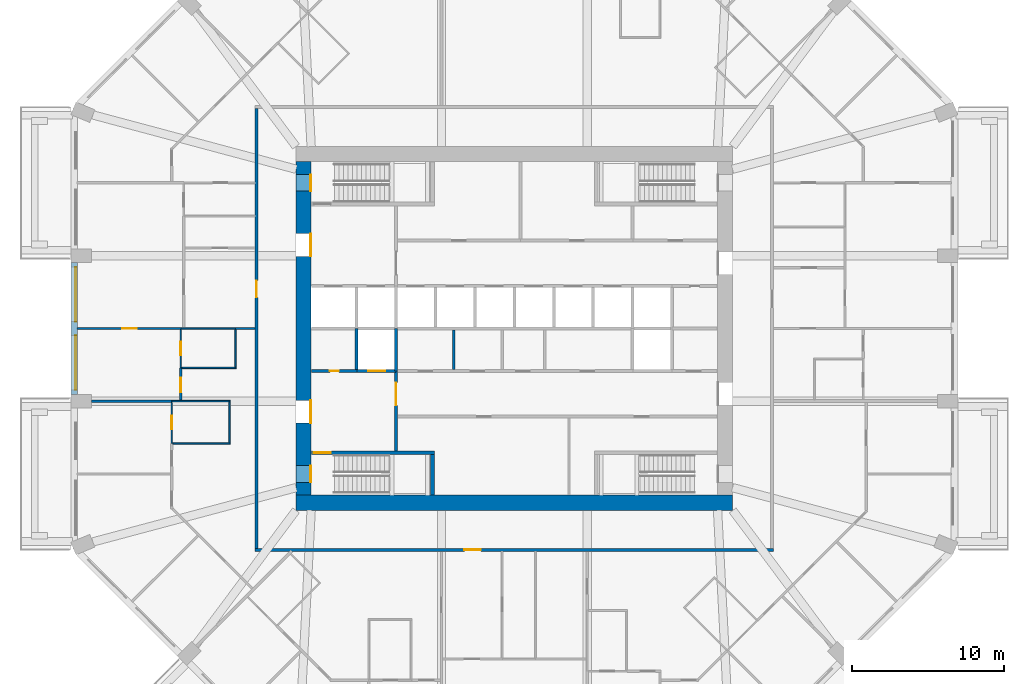
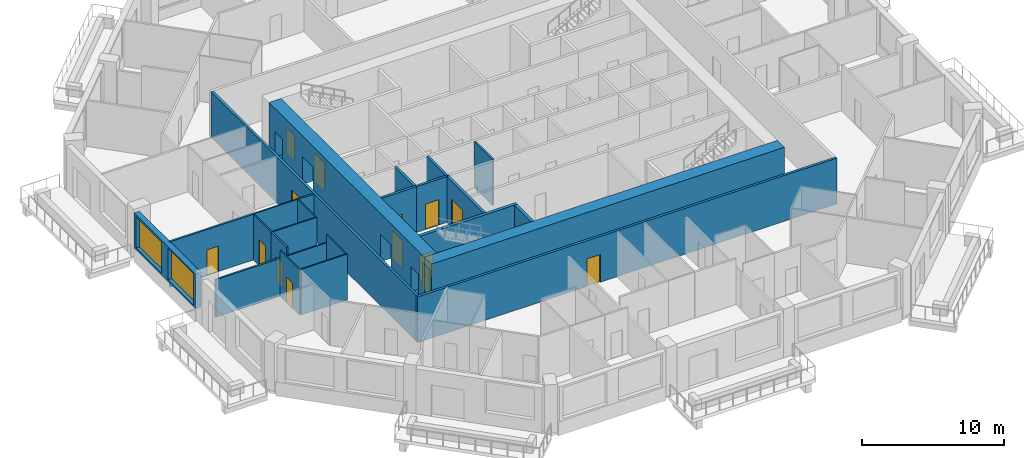
# One storey, part 4 of 13: 25 walls, 14 doors, 2 windows, 16 openings.
"""IFC4 building model written with IfcOpenShell, lengths in metres."""

from ifc_helpers import new_model, si_unit, direction, frame, frame_2d, origin, place, context, subcontext, project, spatial, rectangle, extrude, material, layer, layer_set, type_object, element, fill, save


model = new_model("IFC4")

# Units and contexts
model_context = context("Model", 3, precision=1e-05, world=origin(), true_north=direction((0.0, 1.0)))
body_context = subcontext(model_context, "Body", "Model", "MODEL_VIEW")
ifc_project = project(units=[si_unit("LENGTHUNIT", "METRE"), si_unit("AREAUNIT", "SQUARE_METRE"), si_unit("VOLUMEUNIT", "CUBIC_METRE"), si_unit("PLANEANGLEUNIT", "RADIAN"), si_unit("MASSUNIT", "GRAM", prefix="KILO")], contexts=[model_context])

# Site, building, storey
site_placement = place(None, origin())
site = spatial("IfcSite", under=ifc_project, at=site_placement, CompositionType="ELEMENT")
building_placement = place(site_placement, origin())
building = spatial("IfcBuilding", under=site, at=building_placement, Name="Msitu Wima Residences", CompositionType="ELEMENT")
storey_placement = place(building_placement, frame((0.0, 0.0, 67.5)))
storey = spatial("IfcBuildingStorey", under=building, at=storey_placement, Name="L15", CompositionType="ELEMENT", Elevation=67.5)

# Wall, openings, windows
ifc_material_1 = material(Name="Brick (red buff mix)", Category="masonry")
ifc_layer_1 = layer(ifc_material_1, 0.449951171875)
ifc_layer_set_1 = layer_set([ifc_layer_1], Name="Brick (red buff mix)")
wall_type_1 = type_object("IfcWallType", Name="Brick infill wall BW450", PredefinedType="SOLIDWALL", material=ifc_layer_set_1)
wall_1_placement = place(storey_placement, frame((-29.02490234375, 4.35009765625, 0.89990234375), z_axis=(0.0, 0.0, 1.0), x_axis=(0.0, -1.0, 0.0)))
wall_1 = element("IfcWall", 1, at=wall_1_placement, inside=storey, type_object=wall_type_1, Name="Brick infill wall L15 W1", PredefinedType="SOLIDWALL", context=body_context, shape_type="SweptSolid", body=[
    extrude(rectangle(XDim=8.7001953125, YDim=0.449951171875, at=frame_2d((4.35009765625, 0.0))), origin(), (0.0, 0.0, 1.0), 3.0),
])
opening_1_placement = place(wall_1_placement, frame((0.300048828125, 0.0, 0.14990234375)))
opening_1 = element("IfcOpeningElement", 2, at=opening_1_placement, cuts=wall_1, Name="Opening W13-15.028", PredefinedType="OPENING", context=body_context, shape_type="SweptSolid", body=[
    extrude(rectangle(XDim=3.60009765625, YDim=2.699951171875, at=frame_2d((1.800048828125, 1.35009765625))), frame((0.0, 0.23486328125, 0.0), z_axis=(0.0, -1.0, 0.0), x_axis=(1.0, 0.0, 0.0)), (0.0, 0.0, 1.0), 0.469970703125),
])
opening_2_placement = place(wall_1_placement, frame((4.800048828125, 0.0, 0.14990234375)))
opening_2 = element("IfcOpeningElement", 3, at=opening_2_placement, cuts=wall_1, Name="Opening W13-15.029", PredefinedType="OPENING", context=body_context, shape_type="SweptSolid", body=[
    extrude(rectangle(XDim=3.60009765625, YDim=2.699951171875, at=frame_2d((1.800048828125, 1.35009765625))), frame((0.0, 0.23486328125, 0.0), z_axis=(0.0, -1.0, 0.0), x_axis=(1.0, 0.0, 0.0)), (0.0, 0.0, 1.0), 0.469970703125),
])
ifc_material_2 = material(Name="Anodised aluminium, bronze finish, clear low-emissivity double glazing", Category="aluminium")
window_type = type_object("IfcWindowType", Name="Window W3600x2700", PartitioningType="DOUBLE_PANEL_VERTICAL", PredefinedType="WINDOW", material=ifc_material_2)
window_1_placement = place(opening_1_placement, origin())
window_1 = element("IfcWindow", 4, at=window_1_placement, inside=storey, type_object=window_type, Name="Window L15 W1.1", OverallHeight=2.699951171875, OverallWidth=3.60009765625, PartitioningType="SINGLE_PANEL", PredefinedType="WINDOW", context=body_context, shape_type="SweptSolid", body=[
    extrude(rectangle(XDim=3.60009765625, YDim=2.699951171875, at=frame_2d((1.800048828125, 1.35009765625))), frame((0.0, 0.135009765625, 0.0), z_axis=(0.0, -1.0, 0.0), x_axis=(1.0, 0.0, 0.0)), (0.0, 0.0, 1.0), 0.06005859375),
])
fill(opening_1, window_1)
window_2_placement = place(opening_2_placement, origin())
window_2 = element("IfcWindow", 5, at=window_2_placement, inside=storey, type_object=window_type, Name="Window L15 W1.2", OverallHeight=2.699951171875, OverallWidth=3.60009765625, PartitioningType="SINGLE_PANEL", PredefinedType="WINDOW", context=body_context, shape_type="SweptSolid", body=[
    extrude(rectangle(XDim=3.60009765625, YDim=2.699951171875, at=frame_2d((1.800048828125, 1.35009765625))), frame((0.0, 0.135009765625, 0.0), z_axis=(0.0, -1.0, 0.0), x_axis=(1.0, 0.0, 0.0)), (0.0, 0.0, 1.0), 0.06005859375),
])
fill(opening_2, window_2)

# Wall
ifc_material_3 = material(Name="Concrete C80/95", Category="concrete")
ifc_layer_2 = layer(ifc_material_3, 1.0)
ifc_layer_set_2 = layer_set([ifc_layer_2], Name="Concrete C80/95")
wall_type_2 = type_object("IfcWallType", Name="Core wall CW1000 C80/95", PredefinedType="SHEAR", material=ifc_layer_set_2)
wall_2_placement = place(storey_placement, frame((-14.39990234375, -11.5, 0.0), z_axis=(0.0, 0.0, 1.0), x_axis=(1.0, 0.0, 0.0)))
element("IfcWall", 6, at=wall_2_placement, inside=storey, type_object=wall_type_2, Name="Core wall", PredefinedType="SHEAR", context=body_context, shape_type="SweptSolid", body=[
    extrude(rectangle(XDim=28.7998046875, YDim=1.0, at=frame_2d((14.39990234375, 0.0))), origin(), (0.0, 0.0, 1.0), 4.199951171875),
])

# Wall, openings, doors
wall_3_placement = place(storey_placement, frame((-13.89990234375, -11.0, 0.0), z_axis=(0.0, 0.0, 1.0), x_axis=(0.0, 1.0, 0.0)))
wall_3 = element("IfcWall", 7, at=wall_3_placement, inside=storey, type_object=wall_type_2, Name="Core wall", PredefinedType="SHEAR", context=body_context, shape_type="SweptSolid", body=[
    extrude(rectangle(XDim=22.0, YDim=1.0, at=frame_2d((11.0, 0.0))), origin(), (0.0, 0.0, 1.0), 4.199951171875),
])
opening_3_placement = place(wall_3_placement, frame((20.050048828125, 0.0, 0.0)))
opening_3 = element("IfcOpeningElement", 8, at=opening_3_placement, cuts=wall_3, Name="Opening D13-15.032", PredefinedType="OPENING", context=body_context, shape_type="SweptSolid", body=[
    extrude(rectangle(XDim=1.10009765625, YDim=2.199951171875, at=frame_2d((0.550048828125, 1.10009765625))), frame((0.0, 0.510009765625, 0.0), z_axis=(0.0, -1.0, 0.0), x_axis=(1.0, 0.0, 0.0)), (0.0, 0.0, 1.0), 1.02001953125),
])
opening_4_placement = place(wall_3_placement, frame((0.85009765625, 0.0, 0.0)))
opening_4 = element("IfcOpeningElement", 9, at=opening_4_placement, cuts=wall_3, Name="Opening D13-15.034", PredefinedType="OPENING", context=body_context, shape_type="SweptSolid", body=[
    extrude(rectangle(XDim=1.10009765625, YDim=2.199951171875, at=frame_2d((0.550048828125, 1.10009765625))), frame((0.0, 0.510009765625, 0.0), z_axis=(0.0, -1.0, 0.0), x_axis=(1.0, 0.0, 0.0)), (0.0, 0.0, 1.0), 1.02001953125),
])
opening_5_placement = place(wall_3_placement, frame((15.75, 0.0, 0.0)))
opening_5 = element("IfcOpeningElement", 10, at=opening_5_placement, cuts=wall_3, Name="Opening D13-15.015", PredefinedType="OPENING", context=body_context, shape_type="SweptSolid", body=[
    extrude(rectangle(XDim=1.5, YDim=2.39990234375, at=frame_2d((0.75, 1.199951171875))), frame((0.0, 0.510009765625, 0.0), z_axis=(0.0, -1.0, 0.0), x_axis=(1.0, 0.0, 0.0)), (0.0, 0.0, 1.0), 1.02001953125),
])
opening_6_placement = place(wall_3_placement, frame((4.75, 0.0, 0.0)))
opening_6 = element("IfcOpeningElement", 11, at=opening_6_placement, cuts=wall_3, Name="Opening D13-15.017", PredefinedType="OPENING", context=body_context, shape_type="SweptSolid", body=[
    extrude(rectangle(XDim=1.5, YDim=2.39990234375, at=frame_2d((0.75, 1.199951171875))), frame((0.0, 0.510009765625, 0.0), z_axis=(0.0, -1.0, 0.0), x_axis=(1.0, 0.0, 0.0)), (0.0, 0.0, 1.0), 1.02001953125),
])
ifc_material_4 = material(Name="Steel framed glazed door, fire resisting", Category="steel")
door_type_1 = type_object("IfcDoorType", Name="Lobby door D07 1500x2400", OperationType="DOUBLE_DOOR_SINGLE_SWING", PredefinedType="DOOR", material=ifc_material_4)
door_1_placement = place(opening_5_placement, origin())
door_1 = element("IfcDoor", 12, at=door_1_placement, inside=storey, type_object=door_type_1, Name="Lobby door", OperationType="DOUBLE_DOOR_SINGLE_SWING", OverallHeight=2.39990234375, OverallWidth=1.5, PredefinedType="DOOR", context=body_context, shape_type="SweptSolid", body=[
    extrude(rectangle(XDim=1.5, YDim=2.39990234375, at=frame_2d((0.75, 1.199951171875))), frame((0.0, -0.44482421875, 0.0), z_axis=(0.0, -1.0, 0.0), x_axis=(1.0, 0.0, 0.0)), (0.0, 0.0, 1.0), 0.050048828125),
])
fill(opening_5, door_1)
door_2_placement = place(opening_6_placement, origin())
door_2 = element("IfcDoor", 13, at=door_2_placement, inside=storey, type_object=door_type_1, Name="Lobby door", OperationType="DOUBLE_DOOR_SINGLE_SWING", OverallHeight=2.39990234375, OverallWidth=1.5, PredefinedType="DOOR", context=body_context, shape_type="SweptSolid", body=[
    extrude(rectangle(XDim=1.5, YDim=2.39990234375, at=frame_2d((0.75, 1.199951171875))), frame((0.0, -0.44482421875, 0.0), z_axis=(0.0, -1.0, 0.0), x_axis=(1.0, 0.0, 0.0)), (0.0, 0.0, 1.0), 0.050048828125),
])
fill(opening_6, door_2)
ifc_material_5 = material(Name="Steel door, fire resisting, panic bar", Category="steel")
door_type_2 = type_object("IfcDoorType", Name="Stair door D06 1100x2200", OperationType="SINGLE_SWING_LEFT", PredefinedType="DOOR", material=ifc_material_5)
door_3_placement = place(opening_3_placement, origin())
door_3 = element("IfcDoor", 14, at=door_3_placement, inside=storey, type_object=door_type_2, Name="Stair door", OperationType="SINGLE_SWING_RIGHT", OverallHeight=2.199951171875, OverallWidth=1.10009765625, PredefinedType="DOOR", context=body_context, shape_type="SweptSolid", body=[
    extrude(rectangle(XDim=1.10009765625, YDim=2.199951171875, at=frame_2d((0.550048828125, 1.10009765625))), frame((0.0, -0.44482421875, 0.0), z_axis=(0.0, -1.0, 0.0), x_axis=(1.0, 0.0, 0.0)), (0.0, 0.0, 1.0), 0.050048828125),
])
fill(opening_3, door_3)
door_4_placement = place(opening_4_placement, origin())
door_4 = element("IfcDoor", 15, at=door_4_placement, inside=storey, type_object=door_type_2, Name="Stair door", OperationType="SINGLE_SWING_LEFT", OverallHeight=2.199951171875, OverallWidth=1.10009765625, PredefinedType="DOOR", context=body_context, shape_type="SweptSolid", body=[
    extrude(rectangle(XDim=1.10009765625, YDim=2.199951171875, at=frame_2d((0.550048828125, 1.10009765625))), frame((0.0, -0.44482421875, 0.0), z_axis=(0.0, -1.0, 0.0), x_axis=(1.0, 0.0, 0.0)), (0.0, 0.0, 1.0), 0.050048828125),
])
fill(opening_4, door_4)

# Wall, opening, door
ifc_material_6 = material(Name="Plaster")
ifc_layer_3 = layer(ifc_material_6, 0.011962890625, Name="Plaster")
ifc_material_7 = material(Name="Concrete blockwork", Category="masonry")
ifc_layer_4 = layer(ifc_material_7, 0.176025390625, Name="Concrete blockwork")
ifc_layer_5 = layer(ifc_material_6, 0.011962890625, Name="Plaster")
ifc_layer_set_3 = layer_set([ifc_layer_3, ifc_layer_4, ifc_layer_5], Name="Concrete blockwork")
wall_type_3 = type_object("IfcWallType", Name="Corridor wall FW200", PredefinedType="PARTITIONING", material=ifc_layer_set_3)
wall_4_placement = place(storey_placement, frame((-17.0, -14.5, 0.0), z_axis=(0.0, 0.0, 1.0), x_axis=(0.0, 1.0, 0.0)))
wall_4 = element("IfcWall", 16, at=wall_4_placement, inside=storey, type_object=wall_type_3, Name="Corridor wall", PredefinedType="PARTITIONING", context=body_context, shape_type="SweptSolid", body=[
    extrude(rectangle(XDim=29.0, YDim=0.199951171875, at=frame_2d((14.5, 0.0))), origin(), (0.0, 0.0, 1.0), 3.949951171875),
])
opening_7_placement = place(wall_4_placement, frame((16.550048828125, 0.0, 0.0)))
opening_7 = element("IfcOpeningElement", 17, at=opening_7_placement, cuts=wall_4, Name="Opening D13-15.012", PredefinedType="OPENING", context=body_context, shape_type="SweptSolid", body=[
    extrude(rectangle(XDim=1.10009765625, YDim=2.39990234375, at=frame_2d((0.550048828125, 1.199951171875))), frame((0.0, 0.10986328125, 0.0), z_axis=(0.0, -1.0, 0.0), x_axis=(1.0, 0.0, 0.0)), (0.0, 0.0, 1.0), 0.219970703125),
])
ifc_material_8 = material(Name="Timber flush door, fire resisting, self-closing", Category="wood")
door_type_3 = type_object("IfcDoorType", Name="Flat entrance door D01 1100x2400", OperationType="SINGLE_SWING_LEFT", PredefinedType="DOOR", material=ifc_material_8)
door_5_placement = place(opening_7_placement, origin())
door_5 = element("IfcDoor", 18, at=door_5_placement, inside=storey, type_object=door_type_3, Name="Flat entrance door", OperationType="SINGLE_SWING_LEFT", OverallHeight=2.39990234375, OverallWidth=1.10009765625, PredefinedType="DOOR", context=body_context, shape_type="SweptSolid", body=[
    extrude(rectangle(XDim=1.10009765625, YDim=2.39990234375, at=frame_2d((0.550048828125, 1.199951171875))), frame((0.0, 0.02490234375, 0.0), z_axis=(0.0, -1.0, 0.0), x_axis=(1.0, 0.0, 0.0)), (0.0, 0.0, 1.0), 0.050048828125),
])
fill(opening_7, door_5)

wall_5_placement = place(storey_placement, frame((-17.10009765625, -14.60009765625, 0.0), z_axis=(0.0, 0.0, 1.0), x_axis=(1.0, 0.0, 0.0)))
wall_5 = element("IfcWall", 19, at=wall_5_placement, inside=storey, type_object=wall_type_3, Name="Corridor wall", PredefinedType="PARTITIONING", context=body_context, shape_type="SweptSolid", body=[
    extrude(rectangle(XDim=34.2001953125, YDim=0.199951171875, at=frame_2d((17.10009765625, 0.0))), origin(), (0.0, 0.0, 1.0), 3.949951171875),
])
opening_8_placement = place(wall_5_placement, frame((13.800048828125, 0.0, 0.0)))
opening_8 = element("IfcOpeningElement", 20, at=opening_8_placement, cuts=wall_5, Name="Opening D13-15.013", PredefinedType="OPENING", context=body_context, shape_type="SweptSolid", body=[
    extrude(rectangle(XDim=1.10009765625, YDim=2.39990234375, at=frame_2d((0.550048828125, 1.199951171875))), frame((0.0, 0.10986328125, 0.0), z_axis=(0.0, -1.0, 0.0), x_axis=(1.0, 0.0, 0.0)), (0.0, 0.0, 1.0), 0.219970703125),
])
door_6_placement = place(opening_8_placement, origin())
door_6 = element("IfcDoor", 21, at=door_6_placement, inside=storey, type_object=door_type_3, Name="Flat entrance door", OperationType="SINGLE_SWING_LEFT", OverallHeight=2.39990234375, OverallWidth=1.10009765625, PredefinedType="DOOR", context=body_context, shape_type="SweptSolid", body=[
    extrude(rectangle(XDim=1.10009765625, YDim=2.39990234375, at=frame_2d((0.550048828125, 1.199951171875))), frame((0.0, 0.02490234375, 0.0), z_axis=(0.0, -1.0, 0.0), x_axis=(1.0, 0.0, 0.0)), (0.0, 0.0, 1.0), 0.050048828125),
])
fill(opening_8, door_6)

wall_6_placement = place(storey_placement, frame((-7.800048828125, -8.074951171875, 0.0), z_axis=(0.0, 0.0, 1.0), x_axis=(0.0, 1.0, 0.0)))
wall_6 = element("IfcWall", 22, at=wall_6_placement, inside=storey, type_object=wall_type_3, Name="Corridor wall", PredefinedType="PARTITIONING", context=body_context, shape_type="SweptSolid", body=[
    extrude(rectangle(XDim=5.27490234375, YDim=0.199951171875, at=frame_2d((2.637451171875, 0.0))), origin(), (0.0, 0.0, 1.0), 3.949951171875),
])
opening_9_placement = place(wall_6_placement, frame((3.0, 0.0, 0.0)))
opening_9 = element("IfcOpeningElement", 23, at=opening_9_placement, cuts=wall_6, Name="Opening D13-15.018", PredefinedType="OPENING", context=body_context, shape_type="SweptSolid", body=[
    extrude(rectangle(XDim=1.5, YDim=2.39990234375, at=frame_2d((0.75, 1.199951171875))), frame((0.0, 0.10986328125, 0.0), z_axis=(0.0, -1.0, 0.0), x_axis=(1.0, 0.0, 0.0)), (0.0, 0.0, 1.0), 0.219970703125),
])
door_7_placement = place(opening_9_placement, origin())
door_7 = element("IfcDoor", 24, at=door_7_placement, inside=storey, type_object=door_type_1, Name="Lobby door", OperationType="DOUBLE_DOOR_SINGLE_SWING", OverallHeight=2.39990234375, OverallWidth=1.5, PredefinedType="DOOR", context=body_context, shape_type="SweptSolid", body=[
    extrude(rectangle(XDim=1.5, YDim=2.39990234375, at=frame_2d((0.75, 1.199951171875))), frame((0.0, 0.02490234375, 0.0), z_axis=(0.0, -1.0, 0.0), x_axis=(1.0, 0.0, 0.0)), (0.0, 0.0, 1.0), 0.050048828125),
])
fill(opening_9, door_7)

# Wall
ifc_layer_6 = layer(ifc_material_6, 0.011962890625, Name="Plaster")
ifc_layer_7 = layer(ifc_material_7, 0.1259765625, Name="Concrete blockwork")
ifc_layer_8 = layer(ifc_material_6, 0.011962890625, Name="Plaster")
ifc_layer_set_4 = layer_set([ifc_layer_6, ifc_layer_7, ifc_layer_8], Name="Concrete blockwork")
wall_type_4 = type_object("IfcWallType", Name="Partition PW150", PredefinedType="PARTITIONING", material=ifc_layer_set_4)
wall_7_placement = place(storey_placement, frame((-27.89990234375, -4.800048828125, 0.0), z_axis=(0.0, 0.0, 1.0), x_axis=(1.0, 0.0, 0.0)))
element("IfcWall", 25, at=wall_7_placement, inside=storey, type_object=wall_type_4, Name="Partition", PredefinedType="PARTITIONING", context=body_context, shape_type="SweptSolid", body=[
    extrude(rectangle(XDim=5.31982421875, YDim=0.14990234375, at=frame_2d((2.659912109375, 0.0))), origin(), (0.0, 0.0, 1.0), 3.25),
])

# Wall, opening, door
wall_8_placement = place(storey_placement, frame((-28.85498046875, 0.0, 0.0), z_axis=(0.0, 0.0, 1.0), x_axis=(1.0, 0.0, 0.0)))
wall_8 = element("IfcWall", 26, at=wall_8_placement, inside=storey, type_object=wall_type_4, Name="Partition", PredefinedType="PARTITIONING", context=body_context, shape_type="SweptSolid", body=[
    extrude(rectangle(XDim=6.875, YDim=0.14990234375, at=frame_2d((3.4375, 0.0))), origin(), (0.0, 0.0, 1.0), 3.949951171875),
])
opening_10_placement = place(wall_8_placement, frame((3.0, 0.0, 0.0)))
opening_10 = element("IfcOpeningElement", 27, at=opening_10_placement, cuts=wall_8, Name="Opening D13-15.048", PredefinedType="OPENING", context=body_context, shape_type="SweptSolid", body=[
    extrude(rectangle(XDim=0.949951171875, YDim=2.199951171875, at=frame_2d((0.47509765625, 1.10009765625))), frame((0.0, 0.0849609375, 0.0), z_axis=(0.0, -1.0, 0.0), x_axis=(1.0, 0.0, 0.0)), (0.0, 0.0, 1.0), 0.169921875),
])
ifc_material_9 = material(Name="Timber flush door", Category="wood")
door_type_4 = type_object("IfcDoorType", Name="Room door D12 950x2200", OperationType="SINGLE_SWING_LEFT", PredefinedType="DOOR", material=ifc_material_9)
door_8_placement = place(opening_10_placement, origin())
door_8 = element("IfcDoor", 28, at=door_8_placement, inside=storey, type_object=door_type_4, Name="Room door", OperationType="SINGLE_SWING_RIGHT", OverallHeight=2.199951171875, OverallWidth=0.949951171875, PredefinedType="DOOR", context=body_context, shape_type="SweptSolid", body=[
    extrude(rectangle(XDim=0.949951171875, YDim=2.199951171875, at=frame_2d((0.47509765625, 1.10009765625))), frame((0.0, 0.02490234375, 0.0), z_axis=(0.0, -1.0, 0.0), x_axis=(1.0, 0.0, 0.0)), (0.0, 0.0, 1.0), 0.050048828125),
])
fill(opening_10, door_8)

wall_9_placement = place(storey_placement, frame((-22.0, -4.75, 0.0), z_axis=(0.0, 0.0, 1.0), x_axis=(0.0, 1.0, 0.0)))
wall_9 = element("IfcWall", 29, at=wall_9_placement, inside=storey, type_object=wall_type_4, Name="Partition", PredefinedType="PARTITIONING", context=body_context, shape_type="SweptSolid", body=[
    extrude(rectangle(XDim=2.1298828125, YDim=0.14990234375, at=frame_2d((1.06494140625, 0.0))), origin(), (0.0, 0.0, 1.0), 3.949951171875),
])
opening_11_placement = place(wall_9_placement, frame((0.550048828125, 0.0, 0.0)))
opening_11 = element("IfcOpeningElement", 30, at=opening_11_placement, cuts=wall_9, Name="Opening D13-15.051", PredefinedType="OPENING", context=body_context, shape_type="SweptSolid", body=[
    extrude(rectangle(XDim=0.949951171875, YDim=2.199951171875, at=frame_2d((0.47509765625, 1.10009765625))), frame((0.0, 0.0849609375, 0.0), z_axis=(0.0, -1.0, 0.0), x_axis=(1.0, 0.0, 0.0)), (0.0, 0.0, 1.0), 0.169921875),
])
door_9_placement = place(opening_11_placement, origin())
door_9 = element("IfcDoor", 31, at=door_9_placement, inside=storey, type_object=door_type_4, Name="Room door", OperationType="SINGLE_SWING_LEFT", OverallHeight=2.199951171875, OverallWidth=0.949951171875, PredefinedType="DOOR", context=body_context, shape_type="SweptSolid", body=[
    extrude(rectangle(XDim=0.949951171875, YDim=2.199951171875, at=frame_2d((0.47509765625, 1.10009765625))), frame((0.0, 0.02490234375, 0.0), z_axis=(0.0, -1.0, 0.0), x_axis=(1.0, 0.0, 0.0)), (0.0, 0.0, 1.0), 0.050048828125),
])
fill(opening_11, door_9)

# Walls
wall_10_placement = place(storey_placement, frame((-18.3798828125, 0.0, 0.0), z_axis=(0.0, 0.0, 1.0), x_axis=(1.0, 0.0, 0.0)))
element("IfcWall", 32, at=wall_10_placement, inside=storey, type_object=wall_type_4, Name="Partition", PredefinedType="PARTITIONING", context=body_context, shape_type="SweptSolid", body=[
    extrude(rectangle(XDim=1.27978515625, YDim=0.14990234375, at=frame_2d((0.639892578125, 0.0))), origin(), (0.0, 0.0, 1.0), 3.949951171875),
])
wall_11_placement = place(storey_placement, frame((-4.0, -2.699951171875, 0.0), z_axis=(0.0, 0.0, 1.0), x_axis=(0.0, 1.0, 0.0)))
element("IfcWall", 33, at=wall_11_placement, inside=storey, type_object=wall_type_4, Name="Partition", PredefinedType="PARTITIONING", context=body_context, shape_type="SweptSolid", body=[
    extrude(rectangle(XDim=2.599853515625, YDim=0.14990234375, at=frame_2d((1.2998046875, 0.0))), origin(), (0.0, 0.0, 1.0), 3.949951171875),
])

# Wall, opening, door
ifc_layer_9 = layer(ifc_material_6, 0.011962890625, Name="Plaster")
ifc_material_10 = material(Name="Reinforced concrete blockwork", Category="masonry")
ifc_layer_10 = layer(ifc_material_10, 0.176025390625, Name="Reinforced concrete blockwork")
ifc_layer_11 = layer(ifc_material_6, 0.011962890625, Name="Plaster")
ifc_layer_set_5 = layer_set([ifc_layer_9, ifc_layer_10, ifc_layer_11], Name="Reinforced concrete blockwork")
wall_type_5 = type_object("IfcWallType", Name="Plant and riser wall PL200", PredefinedType="PARTITIONING", material=ifc_layer_set_5)
wall_12_placement = place(storey_placement, frame((-13.3701171875, -2.800048828125, 0.0), z_axis=(0.0, 0.0, 1.0), x_axis=(1.0, 0.0, 0.0)))
wall_12 = element("IfcWall", 34, at=wall_12_placement, inside=storey, type_object=wall_type_5, Name="Plant and riser wall", PredefinedType="PARTITIONING", context=body_context, shape_type="SweptSolid", body=[
    extrude(rectangle(XDim=2.990234375, YDim=0.199951171875, at=frame_2d((1.4951171875, 0.0))), origin(), (0.0, 0.0, 1.0), 3.949951171875),
])
opening_12_placement = place(wall_12_placement, frame((1.199951171875, 0.0, 0.0)))
opening_12 = element("IfcOpeningElement", 35, at=opening_12_placement, cuts=wall_12, Name="Opening D13-15.027", PredefinedType="OPENING", context=body_context, shape_type="SweptSolid", body=[
    extrude(rectangle(XDim=0.60009765625, YDim=2.0, at=frame_2d((0.300048828125, 1.0))), frame((0.0, 0.10986328125, 0.0), z_axis=(0.0, -1.0, 0.0), x_axis=(1.0, 0.0, 0.0)), (0.0, 0.0, 1.0), 0.219970703125),
])
ifc_material_11 = material(Name="Steel access door, fire resisting", Category="steel")
door_type_5 = type_object("IfcDoorType", Name="Riser access door D08 600x2000", OperationType="SINGLE_SWING_LEFT", PredefinedType="DOOR", material=ifc_material_11)
door_10_placement = place(opening_12_placement, origin())
door_10 = element("IfcDoor", 36, at=door_10_placement, inside=storey, type_object=door_type_5, Name="Riser access door", OperationType="SINGLE_SWING_RIGHT", OverallHeight=2.0, OverallWidth=0.60009765625, PredefinedType="DOOR", context=body_context, shape_type="SweptSolid", body=[
    extrude(rectangle(XDim=0.60009765625, YDim=2.0, at=frame_2d((0.300048828125, 1.0))), frame((0.0, 0.02490234375, 0.0), z_axis=(0.0, -1.0, 0.0), x_axis=(1.0, 0.0, 0.0)), (0.0, 0.0, 1.0), 0.050048828125),
])
fill(opening_12, door_10)

# Wall
ifc_material_12 = material(Name="Fire-rated board")
ifc_layer_12 = layer(ifc_material_12, 0.02490234375, Name="Fire-rated board")
ifc_material_13 = material(Name="Light-gauge stud framing with mineral wool")
ifc_layer_13 = layer(ifc_material_13, 0.14990234375, Name="Light-gauge stud framing with mineral wool")
ifc_layer_14 = layer(ifc_material_12, 0.02490234375, Name="Fire-rated board")
ifc_layer_set_6 = layer_set([ifc_layer_12, ifc_layer_13, ifc_layer_14], Name="Light-gauge stud framing with mineral wool")
wall_type_6 = type_object("IfcWallType", Name="Shaft wall SH200", PredefinedType="PARTITIONING", material=ifc_layer_set_6)
wall_13_placement = place(storey_placement, frame((-10.39990234375, -2.699951171875, 0.0), z_axis=(0.0, 0.0, 1.0), x_axis=(0.0, 1.0, 0.0)))
element("IfcWall", 37, at=wall_13_placement, inside=storey, type_object=wall_type_6, Name="Shaft wall", PredefinedType="PARTITIONING", context=body_context, shape_type="SweptSolid", body=[
    extrude(rectangle(XDim=2.699951171875, YDim=0.199951171875, at=frame_2d((1.35009765625, 0.0))), origin(), (0.0, 0.0, 1.0), 3.949951171875),
])

# Wall, opening, door
wall_14_placement = place(storey_placement, frame((-10.3798828125, -2.800048828125, 0.0), z_axis=(0.0, 0.0, 1.0), x_axis=(1.0, 0.0, 0.0)))
wall_14 = element("IfcWall", 38, at=wall_14_placement, inside=storey, type_object=wall_type_6, Name="Shaft wall", PredefinedType="PARTITIONING", context=body_context, shape_type="SweptSolid", body=[
    extrude(rectangle(XDim=2.559814453125, YDim=0.199951171875, at=frame_2d((1.27978515625, 0.0))), origin(), (0.0, 0.0, 1.0), 3.949951171875),
])
opening_13_placement = place(wall_14_placement, frame((0.75, 0.0, 0.0)))
opening_13 = element("IfcOpeningElement", 39, at=opening_13_placement, cuts=wall_14, Name="Opening LD", PredefinedType="OPENING", context=body_context, shape_type="SweptSolid", body=[
    extrude(rectangle(XDim=1.10009765625, YDim=2.199951171875, at=frame_2d((0.550048828125, 1.10009765625))), frame((0.0, 0.10986328125, 0.0), z_axis=(0.0, -1.0, 0.0), x_axis=(1.0, 0.0, 0.0)), (0.0, 0.0, 1.0), 0.219970703125),
])
ifc_material_14 = material(Name="Stainless steel centre-opening landing door, rated", Category="steel")
door_type_6 = type_object("IfcDoorType", Name="Lift landing door LD 1100x2200", OperationType="DOUBLE_DOOR_SLIDING", PredefinedType="DOOR", material=ifc_material_14)
door_11_placement = place(opening_13_placement, origin())
door_11 = element("IfcDoor", 40, at=door_11_placement, inside=storey, type_object=door_type_6, Name="Lift landing door LD3", OperationType="DOUBLE_DOOR_SLIDING", OverallHeight=2.199951171875, OverallWidth=1.10009765625, PredefinedType="DOOR", context=body_context, shape_type="SweptSolid", body=[
    extrude(rectangle(XDim=1.10009765625, YDim=2.199951171875, at=frame_2d((0.550048828125, 1.10009765625))), frame((0.0, 0.02490234375, 0.0), z_axis=(0.0, -1.0, 0.0), x_axis=(1.0, 0.0, 0.0)), (0.0, 0.0, 1.0), 0.050048828125),
])
fill(opening_13, door_11)

# Wall
wall_15_placement = place(storey_placement, frame((-7.800048828125, -2.800048828125, 0.0), z_axis=(0.0, 0.0, 1.0), x_axis=(0.0, 1.0, 0.0)))
element("IfcWall", 41, at=wall_15_placement, inside=storey, type_object=wall_type_6, Name="Shaft wall", PredefinedType="PARTITIONING", context=body_context, shape_type="SweptSolid", body=[
    extrude(rectangle(XDim=2.800048828125, YDim=0.199951171875, at=frame_2d((1.39990234375, 0.0))), origin(), (0.0, 0.0, 1.0), 3.949951171875),
])

# Wall, opening, door
ifc_material_15 = material(Name="Concrete C50/60", Category="concrete")
ifc_layer_15 = layer(ifc_material_15, 0.25)
ifc_layer_set_7 = layer_set([ifc_layer_15], Name="Concrete C50/60")
wall_type_7 = type_object("IfcWallType", Name="Stair enclosure wall SW250", PredefinedType="SHEAR", material=ifc_layer_set_7)
wall_16_placement = place(storey_placement, frame((-13.3701171875, -8.199951171875, 0.0), z_axis=(0.0, 0.0, 1.0), x_axis=(1.0, 0.0, 0.0)))
wall_16 = element("IfcWall", 42, at=wall_16_placement, inside=storey, type_object=wall_type_7, Name="Stair enclosure wall", PredefinedType="SHEAR", context=body_context, shape_type="SweptSolid", body=[
    extrude(rectangle(XDim=8.09521484375, YDim=0.25, at=frame_2d((4.047607421875, 0.0))), origin(), (0.0, 0.0, 1.0), 3.949951171875),
])
opening_14_placement = place(wall_16_placement, frame((0.14990234375, 0.0, 0.0)))
opening_14 = element("IfcOpeningElement", 43, at=opening_14_placement, cuts=wall_16, Name="Opening D13-15.035", PredefinedType="OPENING", context=body_context, shape_type="SweptSolid", body=[
    extrude(rectangle(XDim=1.10009765625, YDim=2.199951171875, at=frame_2d((0.550048828125, 1.10009765625))), frame((0.0, 0.135009765625, 0.0), z_axis=(0.0, -1.0, 0.0), x_axis=(1.0, 0.0, 0.0)), (0.0, 0.0, 1.0), 0.27001953125),
])
door_12_placement = place(opening_14_placement, origin())
door_12 = element("IfcDoor", 44, at=door_12_placement, inside=storey, type_object=door_type_2, Name="Stair door", OperationType="SINGLE_SWING_RIGHT", OverallHeight=2.199951171875, OverallWidth=1.10009765625, PredefinedType="DOOR", context=body_context, shape_type="SweptSolid", body=[
    extrude(rectangle(XDim=1.10009765625, YDim=2.199951171875, at=frame_2d((0.550048828125, 1.10009765625))), frame((0.0, 0.02490234375, 0.0), z_axis=(0.0, -1.0, 0.0), x_axis=(1.0, 0.0, 0.0)), (0.0, 0.0, 1.0), 0.050048828125),
])
fill(opening_14, door_12)

# Walls
wall_17_placement = place(storey_placement, frame((-5.39990234375, -10.969970703125, 0.0), z_axis=(0.0, 0.0, 1.0), x_axis=(0.0, 1.0, 0.0)))
element("IfcWall", 45, at=wall_17_placement, inside=storey, type_object=wall_type_7, Name="Stair enclosure wall", PredefinedType="SHEAR", context=body_context, shape_type="SweptSolid", body=[
    extrude(rectangle(XDim=2.64501953125, YDim=0.25, at=frame_2d((1.322509765625, 0.0))), origin(), (0.0, 0.0, 1.0), 3.949951171875),
])
ifc_material_16 = material(Name="Ceramic tiles")
ifc_layer_16 = layer(ifc_material_16, 0.008056640625, Name="Ceramic tiles")
ifc_material_17 = material(Name="Moisture-resistant board")
ifc_layer_17 = layer(ifc_material_17, 0.012451171875, Name="Moisture-resistant board")
ifc_layer_18 = layer(ifc_material_13, 0.06689453125, Name="Light-gauge stud framing with mineral wool")
ifc_layer_19 = layer(ifc_material_17, 0.012451171875, Name="Moisture-resistant board")
ifc_layer_set_8 = layer_set([ifc_layer_16, ifc_layer_17, ifc_layer_18, ifc_layer_19], Name="Light-gauge stud framing with mineral wool")
wall_type_8 = type_object("IfcWallType", Name="Wet wall PW100", PredefinedType="PARTITIONING", material=ifc_layer_set_8)
wall_18_placement = place(storey_placement, frame((-22.580078125, -4.800048828125, 0.0), z_axis=(0.0, 0.0, 1.0), x_axis=(1.0, 0.0, 0.0)))
element("IfcWall", 46, at=wall_18_placement, inside=storey, type_object=wall_type_8, Name="Wet wall", PredefinedType="PARTITIONING", context=body_context, shape_type="SweptSolid", body=[
    extrude(rectangle(XDim=3.830078125, YDim=0.10009765625, at=frame_2d((1.9150390625, 0.0))), origin(), (0.0, 0.0, 1.0), 3.25),
])

# Wall, opening, door
wall_19_placement = place(storey_placement, frame((-22.60009765625, -7.60009765625, 0.0), z_axis=(0.0, 0.0, 1.0), x_axis=(0.0, 1.0, 0.0)))
wall_19 = element("IfcWall", 47, at=wall_19_placement, inside=storey, type_object=wall_type_8, Name="Wet wall", PredefinedType="PARTITIONING", context=body_context, shape_type="SweptSolid", body=[
    extrude(rectangle(XDim=2.72509765625, YDim=0.10009765625, at=frame_2d((1.362548828125, 0.0))), origin(), (0.0, 0.0, 1.0), 3.949951171875),
])
opening_15_placement = place(wall_19_placement, frame((0.949951171875, 0.0, 0.0)))
opening_15 = element("IfcOpeningElement", 48, at=opening_15_placement, cuts=wall_19, Name="Opening D13-15.053", PredefinedType="OPENING", context=body_context, shape_type="SweptSolid", body=[
    extrude(rectangle(XDim=0.89990234375, YDim=2.199951171875, at=frame_2d((0.449951171875, 1.10009765625))), frame((0.0, 0.06005859375, 0.0), z_axis=(0.0, -1.0, 0.0), x_axis=(1.0, 0.0, 0.0)), (0.0, 0.0, 1.0), 0.1201171875),
])
ifc_material_18 = material(Name="Timber flush door, moisture resistant", Category="wood")
door_type_7 = type_object("IfcDoorType", Name="Bathroom door D03 900x2200", OperationType="SINGLE_SWING_LEFT", PredefinedType="DOOR", material=ifc_material_18)
door_13_placement = place(opening_15_placement, origin())
door_13 = element("IfcDoor", 49, at=door_13_placement, inside=storey, type_object=door_type_7, Name="Bathroom door", OperationType="SINGLE_SWING_LEFT", OverallHeight=2.199951171875, OverallWidth=0.89990234375, PredefinedType="DOOR", context=body_context, shape_type="SweptSolid", body=[
    extrude(rectangle(XDim=0.89990234375, YDim=2.199951171875, at=frame_2d((0.449951171875, 1.10009765625))), frame((0.0, 0.02490234375, 0.0), z_axis=(0.0, -1.0, 0.0), x_axis=(1.0, 0.0, 0.0)), (0.0, 0.0, 1.0), 0.050048828125),
])
fill(opening_15, door_13)

# Walls
wall_20_placement = place(storey_placement, frame((-22.52490234375, -7.60009765625, 0.0), z_axis=(0.0, 0.0, 1.0), x_axis=(1.0, 0.0, 0.0)))
element("IfcWall", 50, at=wall_20_placement, inside=storey, type_object=wall_type_8, Name="Wet wall", PredefinedType="PARTITIONING", context=body_context, shape_type="SweptSolid", body=[
    extrude(rectangle(XDim=3.77490234375, YDim=0.10009765625, at=frame_2d((1.887451171875, 0.0))), origin(), (0.0, 0.0, 1.0), 3.949951171875),
])
wall_21_placement = place(storey_placement, frame((-21.97998046875, 0.0, 0.0), z_axis=(0.0, 0.0, 1.0), x_axis=(1.0, 0.0, 0.0)))
element("IfcWall", 51, at=wall_21_placement, inside=storey, type_object=wall_type_8, Name="Wet wall", PredefinedType="PARTITIONING", context=body_context, shape_type="SweptSolid", body=[
    extrude(rectangle(XDim=3.60009765625, YDim=0.10009765625, at=frame_2d((1.800048828125, 0.0))), origin(), (0.0, 0.0, 1.0), 3.949951171875),
])

# Wall, opening, door
wall_22_placement = place(storey_placement, frame((-22.0, -2.6201171875, 0.0), z_axis=(0.0, 0.0, 1.0), x_axis=(0.0, 1.0, 0.0)))
wall_22 = element("IfcWall", 52, at=wall_22_placement, inside=storey, type_object=wall_type_8, Name="Wet wall", PredefinedType="PARTITIONING", context=body_context, shape_type="SweptSolid", body=[
    extrude(rectangle(XDim=2.545166015625, YDim=0.10009765625, at=frame_2d((1.2724609375, 0.0))), origin(), (0.0, 0.0, 1.0), 3.949951171875),
])
opening_16_placement = place(wall_22_placement, frame((0.85009765625, 0.0, 0.0)))
opening_16 = element("IfcOpeningElement", 53, at=opening_16_placement, cuts=wall_22, Name="Opening D13-15.050", PredefinedType="OPENING", context=body_context, shape_type="SweptSolid", body=[
    extrude(rectangle(XDim=0.89990234375, YDim=2.199951171875, at=frame_2d((0.449951171875, 1.10009765625))), frame((0.0, 0.06005859375, 0.0), z_axis=(0.0, -1.0, 0.0), x_axis=(1.0, 0.0, 0.0)), (0.0, 0.0, 1.0), 0.1201171875),
])
door_14_placement = place(opening_16_placement, origin())
door_14 = element("IfcDoor", 54, at=door_14_placement, inside=storey, type_object=door_type_7, Name="Bathroom door", OperationType="SINGLE_SWING_RIGHT", OverallHeight=2.199951171875, OverallWidth=0.89990234375, PredefinedType="DOOR", context=body_context, shape_type="SweptSolid", body=[
    extrude(rectangle(XDim=0.89990234375, YDim=2.199951171875, at=frame_2d((0.449951171875, 1.10009765625))), frame((0.0, 0.02490234375, 0.0), z_axis=(0.0, -1.0, 0.0), x_axis=(1.0, 0.0, 0.0)), (0.0, 0.0, 1.0), 0.050048828125),
])
fill(opening_16, door_14)

# Walls
wall_23_placement = place(storey_placement, frame((-21.925048828125, -2.60009765625, 0.0), z_axis=(0.0, 0.0, 1.0), x_axis=(1.0, 0.0, 0.0)))
element("IfcWall", 55, at=wall_23_placement, inside=storey, type_object=wall_type_8, Name="Wet wall", PredefinedType="PARTITIONING", context=body_context, shape_type="SweptSolid", body=[
    extrude(rectangle(XDim=3.574951171875, YDim=0.10009765625, at=frame_2d((1.78759765625, 0.0))), origin(), (0.0, 0.0, 1.0), 3.949951171875),
])
wall_24_placement = place(storey_placement, frame((-18.800048828125, -7.550048828125, 0.0), z_axis=(0.0, 0.0, 1.0), x_axis=(0.0, 1.0, 0.0)))
element("IfcWall", 56, at=wall_24_placement, inside=storey, type_object=wall_type_8, Name="Wet wall", PredefinedType="PARTITIONING", context=body_context, shape_type="SweptSolid", body=[
    extrude(rectangle(XDim=2.699951171875, YDim=0.10009765625, at=frame_2d((1.35009765625, 0.0))), origin(), (0.0, 0.0, 1.0), 3.949951171875),
])
wall_25_placement = place(storey_placement, frame((-18.39990234375, -2.550048828125, 0.0), z_axis=(0.0, 0.0, 1.0), x_axis=(0.0, 1.0, 0.0)))
element("IfcWall", 57, at=wall_25_placement, inside=storey, type_object=wall_type_8, Name="Wet wall", PredefinedType="PARTITIONING", context=body_context, shape_type="SweptSolid", body=[
    extrude(rectangle(XDim=2.47509765625, YDim=0.10009765625, at=frame_2d((1.237548828125, 0.0))), origin(), (0.0, 0.0, 1.0), 3.949951171875),
])

save(model, "model.ifc")
